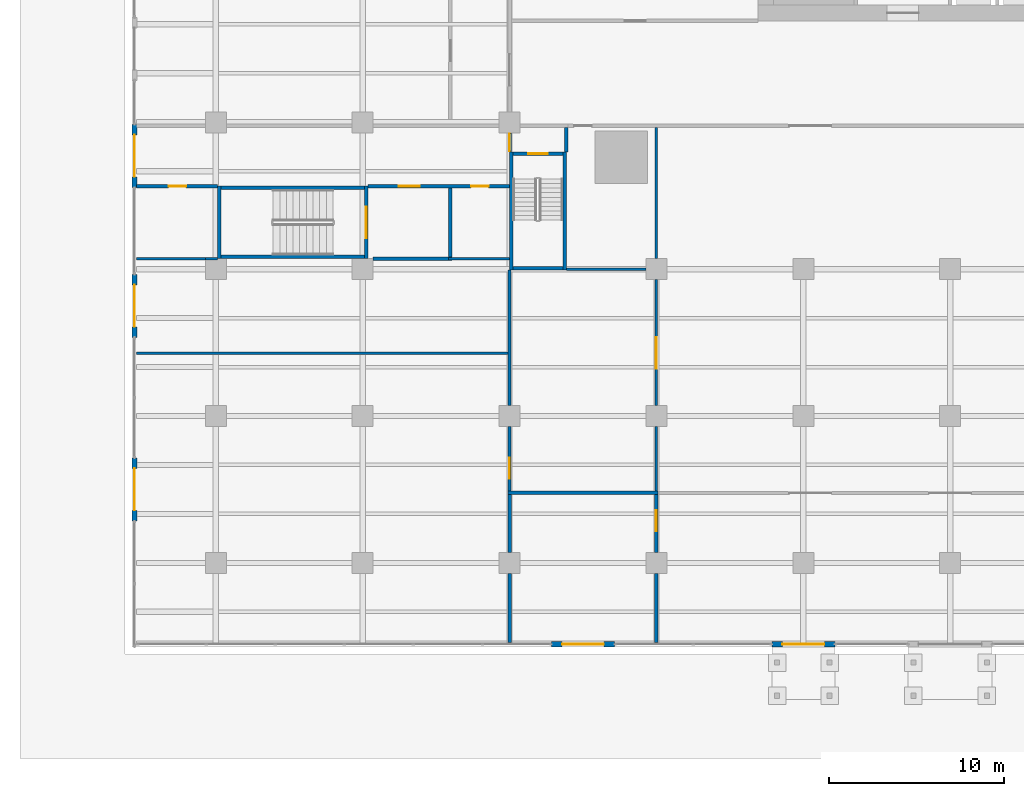
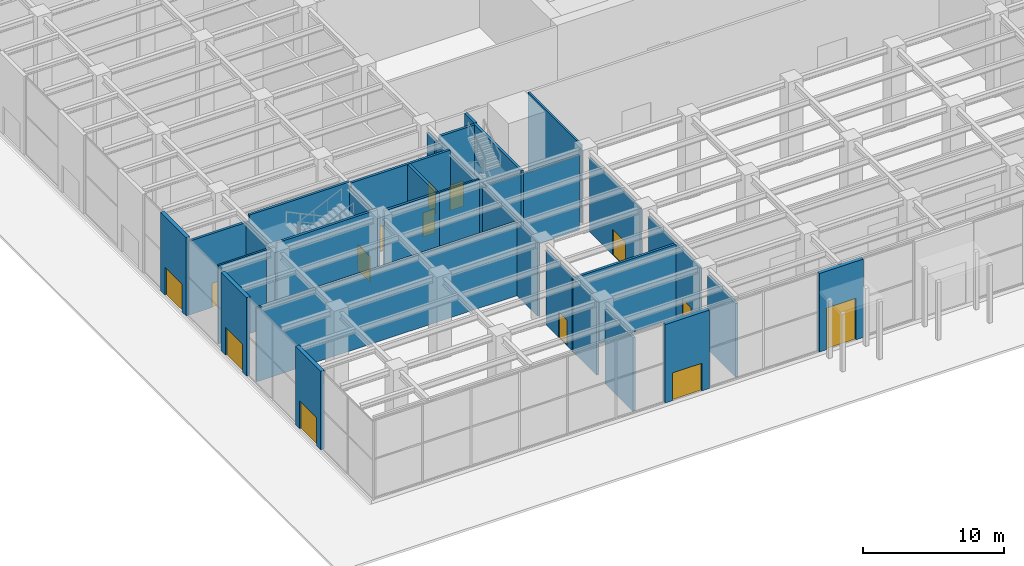
# One storey, part 28 of 43: 34 walls, 14 doors, 14 openings.
"""IFC4 building model written with IfcOpenShell, lengths in metres."""

from ifc_helpers import new_model, si_unit, direction, frame, frame_2d, origin, place, context, subcontext, project, spatial, rectangle, extrude, material, layer, layer_set, type_object, element, fill, save


model = new_model("IFC4")

# Units and contexts
model_context = context("Model", 3, precision=1e-05, world=origin(), true_north=direction((0.0, 1.0)))
body_context = subcontext(model_context, "Body", "Model", "MODEL_VIEW")
ifc_project = project(units=[si_unit("LENGTHUNIT", "METRE"), si_unit("AREAUNIT", "SQUARE_METRE"), si_unit("VOLUMEUNIT", "CUBIC_METRE"), si_unit("PLANEANGLEUNIT", "RADIAN"), si_unit("MASSUNIT", "GRAM", prefix="KILO")], contexts=[model_context])

# Site, building, storey
site_placement = place(None, origin())
site = spatial("IfcSite", under=ifc_project, at=site_placement, CompositionType="ELEMENT")
building_placement = place(site_placement, origin())
building = spatial("IfcBuilding", under=site, at=building_placement, Name="Khepri Terraces", CompositionType="ELEMENT")
storey_placement = place(building_placement, origin())
storey = spatial("IfcBuildingStorey", under=building, at=storey_placement, Name="L00", CompositionType="ELEMENT", Elevation=0.0)

# Wall, opening, door
ifc_material_1 = material(Name="Precast concrete C50/60 warm stone", Category="masonry")
ifc_layer_1 = layer(ifc_material_1, 0.300048828125, Name="Precast concrete C50/60 warm stone", Category="masonry")
ifc_layer_set_1 = layer_set([ifc_layer_1], Name="Precast concrete C50/60 warm stone")
wall_type_1 = type_object("IfcWallType", Name="WL-EXT-PRECAST-300", PredefinedType="STANDARD", material=ifc_layer_set_1)
wall_1_placement = place(storey_placement, frame((-46.64990234375, -16.925048828125, 0.0), z_axis=(0.0, 0.0, 1.0), x_axis=(0.0, -1.0, 0.0)))
wall_1 = element("IfcWall", 1, at=wall_1_placement, inside=storey, type_object=wall_type_1, Name="External wall L00 W", PredefinedType="STANDARD", context=body_context, shape_type="SweptSolid", body=[
    extrude(rectangle(XDim=3.599853515625, YDim=0.300048828125, at=frame_2d((1.7998046875, 0.0))), origin(), (0.0, 0.0, 1.0), 6.780029296875),
])
opening_1_placement = place(wall_1_placement, frame((0.60009765625, 0.0, 0.0)))
opening_1 = element("IfcOpeningElement", 2, at=opening_1_placement, cuts=wall_1, Name="Opening ED-L00-23", PredefinedType="OPENING", context=body_context, shape_type="SweptSolid", body=[
    extrude(rectangle(XDim=2.39990234375, YDim=2.39990234375, at=frame_2d((1.199951171875, 1.199951171875))), frame((0.0, 0.16015625, 0.0), z_axis=(0.0, -1.0, 0.0), x_axis=(1.0, 0.0, 0.0)), (0.0, 0.0, 1.0), 0.320068359375),
])
ifc_material_2 = material(Name="Painted galvanised steel leaf", Category="steel")
door_type_1 = type_object("IfcDoorType", Name="DR-EXIT-2400x2400", OperationType="NOTDEFINED", PredefinedType="DOOR", material=ifc_material_2)
door_1_placement = place(opening_1_placement, frame((2.39990234375, 0.0, 0.0), z_axis=(0.0, 0.0, 1.0), x_axis=(-1.0, 0.0, 0.0)))
door_1 = element("IfcDoor", 3, at=door_1_placement, inside=storey, type_object=door_type_1, Name="Stair discharge door L00 W", OperationType="SINGLE_SWING_RIGHT", OverallHeight=2.39990234375, OverallWidth=2.39990234375, PredefinedType="DOOR", context=body_context, shape_type="SweptSolid", body=[
    extrude(rectangle(XDim=2.39990234375, YDim=2.39990234375, at=frame_2d((1.199951171875, 1.199951171875))), frame((0.0, 0.02490234375, 0.0), z_axis=(0.0, -1.0, 0.0), x_axis=(1.0, 0.0, 0.0)), (0.0, 0.0, 1.0), 0.050048828125),
])
fill(opening_1, door_1)

wall_2_placement = place(storey_placement, frame((-46.64990234375, -25.5, 0.0), z_axis=(0.0, 0.0, 1.0), x_axis=(0.0, -1.0, 0.0)))
wall_2 = element("IfcWall", 4, at=wall_2_placement, inside=storey, type_object=wall_type_1, Name="External wall L00 W", PredefinedType="STANDARD", context=body_context, shape_type="SweptSolid", body=[
    extrude(rectangle(XDim=3.60009765625, YDim=0.300048828125, at=frame_2d((1.800048828125, 0.0))), origin(), (0.0, 0.0, 1.0), 6.780029296875),
])
opening_2_placement = place(wall_2_placement, frame((0.60009765625, 0.0, 0.0)))
opening_2 = element("IfcOpeningElement", 5, at=opening_2_placement, cuts=wall_2, Name="Opening ED-L00-24", PredefinedType="OPENING", context=body_context, shape_type="SweptSolid", body=[
    extrude(rectangle(XDim=2.39990234375, YDim=2.39990234375, at=frame_2d((1.199951171875, 1.199951171875))), frame((0.0, 0.16015625, 0.0), z_axis=(0.0, -1.0, 0.0), x_axis=(1.0, 0.0, 0.0)), (0.0, 0.0, 1.0), 0.320068359375),
])
ifc_material_3 = material(Name="Anodised aluminium bronze glazed door", Category="aluminium")
door_type_2 = type_object("IfcDoorType", Name="DR-SHOP-2400x2400", OperationType="NOTDEFINED", PredefinedType="DOOR", material=ifc_material_3)
door_2_placement = place(opening_2_placement, frame((2.39990234375, 0.0, 0.0), z_axis=(0.0, 0.0, 1.0), x_axis=(-1.0, 0.0, 0.0)))
door_2 = element("IfcDoor", 6, at=door_2_placement, inside=storey, type_object=door_type_2, Name="Retail door L00 W", OperationType="DOUBLE_DOOR_SINGLE_SWING", OverallHeight=2.39990234375, OverallWidth=2.39990234375, PredefinedType="DOOR", context=body_context, shape_type="SweptSolid", body=[
    extrude(rectangle(XDim=2.39990234375, YDim=2.39990234375, at=frame_2d((1.199951171875, 1.199951171875))), frame((0.0, 0.02490234375, 0.0), z_axis=(0.0, -1.0, 0.0), x_axis=(1.0, 0.0, 0.0)), (0.0, 0.0, 1.0), 0.050048828125),
])
fill(opening_2, door_2)

wall_3_placement = place(storey_placement, frame((-46.64990234375, -36.0, 0.0), z_axis=(0.0, 0.0, 1.0), x_axis=(0.0, -1.0, 0.0)))
wall_3 = element("IfcWall", 7, at=wall_3_placement, inside=storey, type_object=wall_type_1, Name="External wall L00 W", PredefinedType="STANDARD", context=body_context, shape_type="SweptSolid", body=[
    extrude(rectangle(XDim=3.60009765625, YDim=0.300048828125, at=frame_2d((1.800048828125, 0.0))), origin(), (0.0, 0.0, 1.0), 6.780029296875),
])
opening_3_placement = place(wall_3_placement, frame((0.60009765625, 0.0, 0.0)))
opening_3 = element("IfcOpeningElement", 8, at=opening_3_placement, cuts=wall_3, Name="Opening ED-L00-25", PredefinedType="OPENING", context=body_context, shape_type="SweptSolid", body=[
    extrude(rectangle(XDim=2.39990234375, YDim=2.39990234375, at=frame_2d((1.199951171875, 1.199951171875))), frame((0.0, 0.16015625, 0.0), z_axis=(0.0, -1.0, 0.0), x_axis=(1.0, 0.0, 0.0)), (0.0, 0.0, 1.0), 0.320068359375),
])
door_3_placement = place(opening_3_placement, frame((2.39990234375, 0.0, 0.0), z_axis=(0.0, 0.0, 1.0), x_axis=(-1.0, 0.0, 0.0)))
door_3 = element("IfcDoor", 9, at=door_3_placement, inside=storey, type_object=door_type_2, Name="Retail door L00 W", OperationType="DOUBLE_DOOR_SINGLE_SWING", OverallHeight=2.39990234375, OverallWidth=2.39990234375, PredefinedType="DOOR", context=body_context, shape_type="SweptSolid", body=[
    extrude(rectangle(XDim=2.39990234375, YDim=2.39990234375, at=frame_2d((1.199951171875, 1.199951171875))), frame((0.0, 0.02490234375, 0.0), z_axis=(0.0, -1.0, 0.0), x_axis=(1.0, 0.0, 0.0)), (0.0, 0.0, 1.0), 0.050048828125),
])
fill(opening_3, door_3)

wall_4_placement = place(storey_placement, frame((-22.800048828125, -46.64990234375, 0.0), z_axis=(0.0, 0.0, 1.0), x_axis=(1.0, 0.0, 0.0)))
wall_4 = element("IfcWall", 10, at=wall_4_placement, inside=storey, type_object=wall_type_1, Name="External wall L00 S", PredefinedType="STANDARD", context=body_context, shape_type="SweptSolid", body=[
    extrude(rectangle(XDim=3.60009765625, YDim=0.300048828125, at=frame_2d((1.800048828125, 0.0))), origin(), (0.0, 0.0, 1.0), 6.780029296875),
])
opening_4_placement = place(wall_4_placement, frame((0.60009765625, 0.0, 0.0)))
opening_4 = element("IfcOpeningElement", 11, at=opening_4_placement, cuts=wall_4, Name="Opening ED-L00-26", PredefinedType="OPENING", context=body_context, shape_type="SweptSolid", body=[
    extrude(rectangle(XDim=2.39990234375, YDim=2.39990234375, at=frame_2d((1.199951171875, 1.199951171875))), frame((0.0, 0.16015625, 0.0), z_axis=(0.0, -1.0, 0.0), x_axis=(1.0, 0.0, 0.0)), (0.0, 0.0, 1.0), 0.320068359375),
])
door_4_placement = place(opening_4_placement, frame((2.39990234375, 0.0, 0.0), z_axis=(0.0, 0.0, 1.0), x_axis=(-1.0, 0.0, 0.0)))
door_4 = element("IfcDoor", 12, at=door_4_placement, inside=storey, type_object=door_type_2, Name="Retail door L00 S", OperationType="DOUBLE_DOOR_SINGLE_SWING", OverallHeight=2.39990234375, OverallWidth=2.39990234375, PredefinedType="DOOR", context=body_context, shape_type="SweptSolid", body=[
    extrude(rectangle(XDim=2.39990234375, YDim=2.39990234375, at=frame_2d((1.199951171875, 1.199951171875))), frame((0.0, 0.02490234375, 0.0), z_axis=(0.0, -1.0, 0.0), x_axis=(1.0, 0.0, 0.0)), (0.0, 0.0, 1.0), 0.050048828125),
])
fill(opening_4, door_4)

wall_5_placement = place(storey_placement, frame((-10.199951171875, -46.64990234375, 0.0), z_axis=(0.0, 0.0, 1.0), x_axis=(1.0, 0.0, 0.0)))
wall_5 = element("IfcWall", 13, at=wall_5_placement, inside=storey, type_object=wall_type_1, Name="External wall L00 S", PredefinedType="STANDARD", context=body_context, shape_type="SweptSolid", body=[
    extrude(rectangle(XDim=3.599853515625, YDim=0.300048828125, at=frame_2d((1.7998046875, 0.0))), origin(), (0.0, 0.0, 1.0), 6.780029296875),
])
opening_5_placement = place(wall_5_placement, frame((0.60009765625, 0.0, 0.0)))
opening_5 = element("IfcOpeningElement", 14, at=opening_5_placement, cuts=wall_5, Name="Opening ED-L00-27", PredefinedType="OPENING", context=body_context, shape_type="SweptSolid", body=[
    extrude(rectangle(XDim=2.39990234375, YDim=3.60009765625, at=frame_2d((1.199951171875, 1.800048828125))), frame((0.0, 0.16015625, 0.0), z_axis=(0.0, -1.0, 0.0), x_axis=(1.0, 0.0, 0.0)), (0.0, 0.0, 1.0), 0.320068359375),
])
door_type_3 = type_object("IfcDoorType", Name="DR-MAIN-2400x3600", OperationType="NOTDEFINED", PredefinedType="DOOR", material=ifc_material_3)
door_5_placement = place(opening_5_placement, frame((2.39990234375, 0.0, 0.0), z_axis=(0.0, 0.0, 1.0), x_axis=(-1.0, 0.0, 0.0)))
door_5 = element("IfcDoor", 15, at=door_5_placement, inside=storey, type_object=door_type_3, Name="Main door L00 S", OperationType="DOUBLE_DOOR_SINGLE_SWING", OverallHeight=3.60009765625, OverallWidth=2.39990234375, PredefinedType="DOOR", context=body_context, shape_type="SweptSolid", body=[
    extrude(rectangle(XDim=2.39990234375, YDim=3.60009765625, at=frame_2d((1.199951171875, 1.800048828125))), frame((0.0, 0.02490234375, 0.0), z_axis=(0.0, -1.0, 0.0), x_axis=(1.0, 0.0, 0.0)), (0.0, 0.0, 1.0), 0.050048828125),
])
fill(opening_5, door_5)

# Walls
ifc_material_4 = material(Name="Gypsum board partition")
ifc_layer_2 = layer(ifc_material_4, 0.14990234375, Name="Gypsum board partition")
ifc_layer_set_2 = layer_set([ifc_layer_2], Name="Gypsum board partition")
wall_type_2 = type_object("IfcWallType", Name="WL-POD-150", PredefinedType="PARTITIONING", material=ifc_layer_set_2)
wall_6_placement = place(storey_placement, frame((-46.550048828125, -30.0, 0.0), z_axis=(0.0, 0.0, 1.0), x_axis=(1.0, 0.0, 0.0)))
element("IfcWall", 16, at=wall_6_placement, inside=storey, type_object=wall_type_2, Name="Partition L00-PW003", PredefinedType="PARTITIONING", context=body_context, shape_type="SweptSolid", body=[
    extrude(rectangle(XDim=21.275146484375, YDim=0.14990234375, at=frame_2d((10.6376953125, 0.0))), origin(), (0.0, 0.0, 1.0), 6.3798828125),
])
wall_7_placement = place(storey_placement, frame((-21.949951171875, -25.199951171875, 0.0), z_axis=(0.0, 0.0, 1.0), x_axis=(1.0, 0.0, 0.0)))
element("IfcWall", 17, at=wall_7_placement, inside=storey, type_object=wall_type_2, Name="Partition L00-PW005", PredefinedType="PARTITIONING", context=body_context, shape_type="SweptSolid", body=[
    extrude(rectangle(XDim=4.550048828125, YDim=0.14990234375, at=frame_2d((2.27490234375, 0.0))), origin(), (0.0, 0.0, 1.0), 6.47998046875),
])
wall_8_placement = place(storey_placement, frame((-46.550048828125, -24.60009765625, 0.0), z_axis=(0.0, 0.0, 1.0), x_axis=(1.0, 0.0, 0.0)))
element("IfcWall", 18, at=wall_8_placement, inside=storey, type_object=wall_type_2, Name="Partition L00-PW007", PredefinedType="PARTITIONING", context=body_context, shape_type="SweptSolid", body=[
    extrude(rectangle(XDim=3.949951171875, YDim=0.14990234375, at=frame_2d((1.97509765625, 0.0))), origin(), (0.0, 0.0, 1.0), 6.780029296875),
])
wall_9_placement = place(storey_placement, frame((-42.60009765625, -24.60009765625, 0.0), z_axis=(0.0, 0.0, 1.0), x_axis=(1.0, 0.0, 0.0)))
element("IfcWall", 19, at=wall_9_placement, inside=storey, type_object=wall_type_2, Name="Partition L00-PW008", PredefinedType="PARTITIONING", context=body_context, shape_type="SweptSolid", body=[
    extrude(rectangle(XDim=0.7001953125, YDim=0.14990234375, at=frame_2d((0.35009765625, 0.0))), origin(), (0.0, 0.0, 1.0), 6.780029296875),
])
wall_10_placement = place(storey_placement, frame((-28.699951171875, -24.60009765625, 0.0), z_axis=(0.0, 0.0, 1.0), x_axis=(1.0, 0.0, 0.0)))
element("IfcWall", 20, at=wall_10_placement, inside=storey, type_object=wall_type_2, Name="Partition L00-PW010", PredefinedType="PARTITIONING", context=body_context, shape_type="SweptSolid", body=[
    extrude(rectangle(XDim=3.5, YDim=0.14990234375, at=frame_2d((1.75, 0.0))), origin(), (0.0, 0.0, 1.0), 6.780029296875),
])

# Wall, opening, door
wall_11_placement = place(storey_placement, frame((-25.199951171875, -37.89990234375, 0.0), z_axis=(0.0, 0.0, 1.0), x_axis=(0.0, 1.0, 0.0)))
wall_11 = element("IfcWall", 21, at=wall_11_placement, inside=storey, type_object=wall_type_2, Name="Partition L00-PW095", PredefinedType="PARTITIONING", context=body_context, shape_type="SweptSolid", body=[
    extrude(rectangle(XDim=3.699951171875, YDim=0.14990234375, at=frame_2d((1.85009765625, 0.0))), origin(), (0.0, 0.0, 1.0), 6.3798828125),
])
opening_6_placement = place(wall_11_placement, frame((0.699951171875, 0.0, 0.0)))
opening_6 = element("IfcOpeningElement", 22, at=opening_6_placement, cuts=wall_11, Name="Opening L00-P06", PredefinedType="OPENING", context=body_context, shape_type="SweptSolid", body=[
    extrude(rectangle(XDim=1.199951171875, YDim=2.199951171875, at=frame_2d((0.60009765625, 1.10009765625))), frame((0.0, 0.0849609375, 0.0), z_axis=(0.0, -1.0, 0.0), x_axis=(1.0, 0.0, 0.0)), (0.0, 0.0, 1.0), 0.169921875),
])
ifc_material_5 = material(Name="Timber veneer", Category="wood")
door_type_4 = type_object("IfcDoorType", Name="DR-POD-SINGLE-1200", OperationType="NOTDEFINED", PredefinedType="DOOR", material=ifc_material_5)
door_6_placement = place(opening_6_placement, origin())
door_6 = element("IfcDoor", 23, at=door_6_placement, inside=storey, type_object=door_type_4, Name="Door L00-P06", OperationType="SINGLE_SWING_LEFT", OverallHeight=2.199951171875, OverallWidth=1.199951171875, PredefinedType="DOOR", context=body_context, shape_type="SweptSolid", body=[
    extrude(rectangle(XDim=1.199951171875, YDim=2.199951171875, at=frame_2d((0.60009765625, 1.10009765625))), frame((0.0, 0.02490234375, 0.0), z_axis=(0.0, -1.0, 0.0), x_axis=(1.0, 0.0, 0.0)), (0.0, 0.0, 1.0), 0.050048828125),
])
fill(opening_6, door_6)

# Walls
wall_12_placement = place(storey_placement, frame((-25.199951171875, -33.0, 0.0), z_axis=(0.0, 0.0, 1.0), x_axis=(0.0, 1.0, 0.0)))
element("IfcWall", 24, at=wall_12_placement, inside=storey, type_object=wall_type_2, Name="Partition L00-PW096", PredefinedType="PARTITIONING", context=body_context, shape_type="SweptSolid", body=[
    extrude(rectangle(XDim=7.760009765625, YDim=0.14990234375, at=frame_2d((3.8798828125, 0.0))), origin(), (0.0, 0.0, 1.0), 6.3798828125),
])
wall_13_placement = place(storey_placement, frame((-16.800048828125, -37.89990234375, 0.0), z_axis=(0.0, 0.0, 1.0), x_axis=(0.0, 1.0, 0.0)))
element("IfcWall", 25, at=wall_13_placement, inside=storey, type_object=wall_type_2, Name="Partition L00-PW107", PredefinedType="PARTITIONING", context=body_context, shape_type="SweptSolid", body=[
    extrude(rectangle(XDim=3.699951171875, YDim=0.14990234375, at=frame_2d((1.85009765625, 0.0))), origin(), (0.0, 0.0, 1.0), 6.3798828125),
])

# Wall, opening, door
wall_14_placement = place(storey_placement, frame((-16.800048828125, -33.0, 0.0), z_axis=(0.0, 0.0, 1.0), x_axis=(0.0, 1.0, 0.0)))
wall_14 = element("IfcWall", 26, at=wall_14_placement, inside=storey, type_object=wall_type_2, Name="Partition L00-PW108", PredefinedType="PARTITIONING", context=body_context, shape_type="SweptSolid", body=[
    extrude(rectangle(XDim=7.199951171875, YDim=0.14990234375, at=frame_2d((3.60009765625, 0.0))), origin(), (0.0, 0.0, 1.0), 6.3798828125),
])
opening_7_placement = place(wall_14_placement, frame((2.10009765625, 0.0, 0.0)))
opening_7 = element("IfcOpeningElement", 27, at=opening_7_placement, cuts=wall_14, Name="Opening L00-P07", PredefinedType="OPENING", context=body_context, shape_type="SweptSolid", body=[
    extrude(rectangle(XDim=1.800048828125, YDim=2.199951171875, at=frame_2d((0.89990234375, 1.10009765625))), frame((0.0, 0.0849609375, 0.0), z_axis=(0.0, -1.0, 0.0), x_axis=(1.0, 0.0, 0.0)), (0.0, 0.0, 1.0), 0.169921875),
])
ifc_material_6 = material(Name="Glazed aluminium", Category="aluminium")
door_type_5 = type_object("IfcDoorType", Name="DR-POD-PAIR-1800", OperationType="DOUBLE_DOOR_SINGLE_SWING", PredefinedType="DOOR", material=ifc_material_6)
door_7_placement = place(opening_7_placement, origin())
door_7 = element("IfcDoor", 28, at=door_7_placement, inside=storey, type_object=door_type_5, Name="Double door L00-P07", OperationType="DOUBLE_DOOR_SINGLE_SWING", OverallHeight=2.199951171875, OverallWidth=1.800048828125, PredefinedType="DOOR", context=body_context, shape_type="SweptSolid", body=[
    extrude(rectangle(XDim=1.800048828125, YDim=2.199951171875, at=frame_2d((0.89990234375, 1.10009765625))), frame((0.0, 0.02490234375, 0.0), z_axis=(0.0, -1.0, 0.0), x_axis=(1.0, 0.0, 0.0)), (0.0, 0.0, 1.0), 0.050048828125),
])
fill(opening_7, door_7)

# Walls
wall_15_placement = place(storey_placement, frame((-16.800048828125, -24.60009765625, 0.0), z_axis=(0.0, 0.0, 1.0), x_axis=(0.0, 1.0, 0.0)))
element("IfcWall", 29, at=wall_15_placement, inside=storey, type_object=wall_type_2, Name="Partition L00-PW109", PredefinedType="PARTITIONING", context=body_context, shape_type="SweptSolid", body=[
    extrude(rectangle(XDim=7.5, YDim=0.14990234375, at=frame_2d((3.75, 0.0))), origin(), (0.0, 0.0, 1.0), 6.780029296875),
])
ifc_material_7 = material(Name="Fire-rated block wall")
ifc_layer_3 = layer(ifc_material_7, 0.199951171875, Name="Fire-rated block wall")
ifc_layer_set_3 = layer_set([ifc_layer_3], Name="Fire-rated block wall")
wall_type_3 = type_object("IfcWallType", Name="WL-POD-200-EI120", PredefinedType="PARTITIONING", material=ifc_layer_set_3)
wall_16_placement = place(storey_placement, frame((-25.300048828125, -38.0, 0.0), z_axis=(0.0, 0.0, 1.0), x_axis=(1.0, 0.0, 0.0)))
element("IfcWall", 30, at=wall_16_placement, inside=storey, type_object=wall_type_3, Name="Partition L00-PW001", PredefinedType="PARTITIONING", context=body_context, shape_type="SweptSolid", body=[
    extrude(rectangle(XDim=8.60009765625, YDim=0.199951171875, at=frame_2d((4.300048828125, 0.0))), origin(), (0.0, 0.0, 1.0), 6.3798828125),
])
wall_17_placement = place(storey_placement, frame((-33.0, -24.60009765625, 0.0), z_axis=(0.0, 0.0, 1.0), x_axis=(1.0, 0.0, 0.0)))
element("IfcWall", 31, at=wall_17_placement, inside=storey, type_object=wall_type_3, Name="Partition L00-PW009", PredefinedType="PARTITIONING", context=body_context, shape_type="SweptSolid", body=[
    extrude(rectangle(XDim=4.5, YDim=0.199951171875, at=frame_2d((2.25, 0.0))), origin(), (0.0, 0.0, 1.0), 6.780029296875),
])

# Wall, opening, door
wall_18_placement = place(storey_placement, frame((-46.550048828125, -20.449951171875, 0.0), z_axis=(0.0, 0.0, 1.0), x_axis=(1.0, 0.0, 0.0)))
wall_18 = element("IfcWall", 32, at=wall_18_placement, inside=storey, type_object=wall_type_3, Name="Partition L00-PW015", PredefinedType="PARTITIONING", context=body_context, shape_type="SweptSolid", body=[
    extrude(rectangle(XDim=4.650146484375, YDim=0.199951171875, at=frame_2d((2.3251953125, 0.0))), origin(), (0.0, 0.0, 1.0), 6.3798828125),
])
opening_8_placement = place(wall_18_placement, frame((1.85009765625, 0.0, 0.0)))
opening_8 = element("IfcOpeningElement", 33, at=opening_8_placement, cuts=wall_18, Name="Opening L00-P09", PredefinedType="OPENING", context=body_context, shape_type="SweptSolid", body=[
    extrude(rectangle(XDim=1.0, YDim=2.10009765625, at=frame_2d((0.5, 1.050048828125))), frame((0.0, 0.10986328125, 0.0), z_axis=(0.0, -1.0, 0.0), x_axis=(1.0, 0.0, 0.0)), (0.0, 0.0, 1.0), 0.219970703125),
])
door_type_6 = type_object("IfcDoorType", Name="DR-POD-SINGLE-1000", OperationType="NOTDEFINED", PredefinedType="DOOR", material=ifc_material_5)
door_8_placement = place(opening_8_placement, origin())
door_8 = element("IfcDoor", 34, at=door_8_placement, inside=storey, type_object=door_type_6, Name="Door L00-P09", OperationType="SINGLE_SWING_LEFT", OverallHeight=2.10009765625, OverallWidth=1.0, PredefinedType="DOOR", context=body_context, shape_type="SweptSolid", body=[
    extrude(rectangle(XDim=1.0, YDim=2.10009765625, at=frame_2d((0.5, 1.050048828125))), frame((0.0, 0.02490234375, 0.0), z_axis=(0.0, -1.0, 0.0), x_axis=(1.0, 0.0, 0.0)), (0.0, 0.0, 1.0), 0.050048828125),
])
fill(opening_8, door_8)

# Wall, openings, doors
wall_19_placement = place(storey_placement, frame((-33.300048828125, -20.449951171875, 0.0), z_axis=(0.0, 0.0, 1.0), x_axis=(1.0, 0.0, 0.0)))
wall_19 = element("IfcWall", 35, at=wall_19_placement, inside=storey, type_object=wall_type_3, Name="Partition L00-PW016", PredefinedType="PARTITIONING", context=body_context, shape_type="SweptSolid", body=[
    extrude(rectangle(XDim=8.10009765625, YDim=0.199951171875, at=frame_2d((4.050048828125, 0.0))), origin(), (0.0, 0.0, 1.0), 6.780029296875),
])
opening_9_placement = place(wall_19_placement, frame((1.75, 0.0, 0.0)))
opening_9 = element("IfcOpeningElement", 36, at=opening_9_placement, cuts=wall_19, Name="Opening L00-P10", PredefinedType="OPENING", context=body_context, shape_type="SweptSolid", body=[
    extrude(rectangle(XDim=1.199951171875, YDim=2.199951171875, at=frame_2d((0.60009765625, 1.10009765625))), frame((0.0, 0.10986328125, 0.0), z_axis=(0.0, -1.0, 0.0), x_axis=(1.0, 0.0, 0.0)), (0.0, 0.0, 1.0), 0.219970703125),
])
opening_10_placement = place(wall_19_placement, frame((5.89990234375, 0.0, 0.0)))
opening_10 = element("IfcOpeningElement", 37, at=opening_10_placement, cuts=wall_19, Name="Opening L00-P11", PredefinedType="OPENING", context=body_context, shape_type="SweptSolid", body=[
    extrude(rectangle(XDim=1.0, YDim=2.10009765625, at=frame_2d((0.5, 1.050048828125))), frame((0.0, 0.10986328125, 0.0), z_axis=(0.0, -1.0, 0.0), x_axis=(1.0, 0.0, 0.0)), (0.0, 0.0, 1.0), 0.219970703125),
])
ifc_material_8 = material(Name="Painted steel", Category="steel")
door_type_7 = type_object("IfcDoorType", Name="DR-POD-EXIT-1200", OperationType="NOTDEFINED", PredefinedType="DOOR", material=ifc_material_8)
door_9_placement = place(opening_9_placement, origin())
door_9 = element("IfcDoor", 38, at=door_9_placement, inside=storey, type_object=door_type_7, Name="Exit door L00-P10", OperationType="SINGLE_SWING_LEFT", OverallHeight=2.199951171875, OverallWidth=1.199951171875, PredefinedType="DOOR", context=body_context, shape_type="SweptSolid", body=[
    extrude(rectangle(XDim=1.199951171875, YDim=2.199951171875, at=frame_2d((0.60009765625, 1.10009765625))), frame((0.0, 0.02490234375, 0.0), z_axis=(0.0, -1.0, 0.0), x_axis=(1.0, 0.0, 0.0)), (0.0, 0.0, 1.0), 0.050048828125),
])
fill(opening_9, door_9)
door_10_placement = place(opening_10_placement, origin())
door_10 = element("IfcDoor", 39, at=door_10_placement, inside=storey, type_object=door_type_6, Name="Door L00-P11", OperationType="SINGLE_SWING_LEFT", OverallHeight=2.10009765625, OverallWidth=1.0, PredefinedType="DOOR", context=body_context, shape_type="SweptSolid", body=[
    extrude(rectangle(XDim=1.0, YDim=2.10009765625, at=frame_2d((0.5, 1.050048828125))), frame((0.0, 0.02490234375, 0.0), z_axis=(0.0, -1.0, 0.0), x_axis=(1.0, 0.0, 0.0)), (0.0, 0.0, 1.0), 0.050048828125),
])
fill(opening_10, door_10)

# Walls
wall_20_placement = place(storey_placement, frame((-28.60009765625, -24.5, 0.0), z_axis=(0.0, 0.0, 1.0), x_axis=(0.0, 1.0, 0.0)))
element("IfcWall", 40, at=wall_20_placement, inside=storey, type_object=wall_type_3, Name="Partition L00-PW090", PredefinedType="PARTITIONING", context=body_context, shape_type="SweptSolid", body=[
    extrude(rectangle(XDim=3.949951171875, YDim=0.199951171875, at=frame_2d((1.97509765625, 0.0))), origin(), (0.0, 0.0, 1.0), 6.780029296875),
])
wall_21_placement = place(storey_placement, frame((-25.199951171875, -46.550048828125, 0.0), z_axis=(0.0, 0.0, 1.0), x_axis=(0.0, 1.0, 0.0)))
element("IfcWall", 41, at=wall_21_placement, inside=storey, type_object=wall_type_3, Name="Partition L00-PW093", PredefinedType="PARTITIONING", context=body_context, shape_type="SweptSolid", body=[
    extrude(rectangle(XDim=3.949951171875, YDim=0.199951171875, at=frame_2d((1.97509765625, 0.0))), origin(), (0.0, 0.0, 1.0), 6.3798828125),
])
wall_22_placement = place(storey_placement, frame((-25.199951171875, -41.39990234375, 0.0), z_axis=(0.0, 0.0, 1.0), x_axis=(0.0, 1.0, 0.0)))
element("IfcWall", 42, at=wall_22_placement, inside=storey, type_object=wall_type_3, Name="Partition L00-PW094", PredefinedType="PARTITIONING", context=body_context, shape_type="SweptSolid", body=[
    extrude(rectangle(XDim=3.2998046875, YDim=0.199951171875, at=frame_2d((1.64990234375, 0.0))), origin(), (0.0, 0.0, 1.0), 6.3798828125),
])

# Wall, opening, door
wall_23_placement = place(storey_placement, frame((-25.199951171875, -18.5, 0.0), z_axis=(0.0, 0.0, 1.0), x_axis=(0.0, 1.0, 0.0)))
wall_23 = element("IfcWall", 43, at=wall_23_placement, inside=storey, type_object=wall_type_3, Name="Partition L00-PW097", PredefinedType="PARTITIONING", context=body_context, shape_type="SweptSolid", body=[
    extrude(rectangle(XDim=1.10009765625, YDim=0.199951171875, at=frame_2d((0.550048828125, 0.0))), origin(), (0.0, 0.0, 1.0), 6.3798828125),
])
opening_11_placement = place(wall_23_placement, frame((0.050048828125, 0.0, 0.0)))
opening_11 = element("IfcOpeningElement", 44, at=opening_11_placement, cuts=wall_23, Name="Opening L00-P15", PredefinedType="OPENING", context=body_context, shape_type="SweptSolid", body=[
    extrude(rectangle(XDim=1.0, YDim=2.199951171875, at=frame_2d((0.5, 1.10009765625))), frame((0.0, 0.10986328125, 0.0), z_axis=(0.0, -1.0, 0.0), x_axis=(1.0, 0.0, 0.0)), (0.0, 0.0, 1.0), 0.219970703125),
])
door_type_8 = type_object("IfcDoorType", Name="DR-POD-EXIT-1000", OperationType="NOTDEFINED", PredefinedType="DOOR", material=ifc_material_8)
door_11_placement = place(opening_11_placement, origin())
door_11 = element("IfcDoor", 45, at=door_11_placement, inside=storey, type_object=door_type_8, Name="Exit door L00-P15", OperationType="SINGLE_SWING_RIGHT", OverallHeight=2.199951171875, OverallWidth=1.0, PredefinedType="DOOR", context=body_context, shape_type="SweptSolid", body=[
    extrude(rectangle(XDim=1.0, YDim=2.199951171875, at=frame_2d((0.5, 1.10009765625))), frame((0.0, 0.02490234375, 0.0), z_axis=(0.0, -1.0, 0.0), x_axis=(1.0, 0.0, 0.0)), (0.0, 0.0, 1.0), 0.050048828125),
])
fill(opening_11, door_11)

# Walls
wall_24_placement = place(storey_placement, frame((-21.949951171875, -18.5, 0.0), z_axis=(0.0, 0.0, 1.0), x_axis=(0.0, 1.0, 0.0)))
element("IfcWall", 46, at=wall_24_placement, inside=storey, type_object=wall_type_3, Name="Partition L00-PW103", PredefinedType="PARTITIONING", context=body_context, shape_type="SweptSolid", body=[
    extrude(rectangle(XDim=1.39990234375, YDim=0.199951171875, at=frame_2d((0.699951171875, 0.0))), origin(), (0.0, 0.0, 1.0), 6.780029296875),
])
wall_25_placement = place(storey_placement, frame((-16.800048828125, -46.550048828125, 0.0), z_axis=(0.0, 0.0, 1.0), x_axis=(0.0, 1.0, 0.0)))
element("IfcWall", 47, at=wall_25_placement, inside=storey, type_object=wall_type_3, Name="Partition L00-PW105", PredefinedType="PARTITIONING", context=body_context, shape_type="SweptSolid", body=[
    extrude(rectangle(XDim=3.949951171875, YDim=0.199951171875, at=frame_2d((1.97509765625, 0.0))), origin(), (0.0, 0.0, 1.0), 6.3798828125),
])

# Wall, opening, door
wall_26_placement = place(storey_placement, frame((-16.800048828125, -41.39990234375, 0.0), z_axis=(0.0, 0.0, 1.0), x_axis=(0.0, 1.0, 0.0)))
wall_26 = element("IfcWall", 48, at=wall_26_placement, inside=storey, type_object=wall_type_3, Name="Partition L00-PW106", PredefinedType="PARTITIONING", context=body_context, shape_type="SweptSolid", body=[
    extrude(rectangle(XDim=3.2998046875, YDim=0.199951171875, at=frame_2d((1.64990234375, 0.0))), origin(), (0.0, 0.0, 1.0), 6.3798828125),
])
opening_12_placement = place(wall_26_placement, frame((1.199951171875, 0.0, 0.0)))
opening_12 = element("IfcOpeningElement", 49, at=opening_12_placement, cuts=wall_26, Name="Opening L00-P01", PredefinedType="OPENING", context=body_context, shape_type="SweptSolid", body=[
    extrude(rectangle(XDim=1.199951171875, YDim=2.199951171875, at=frame_2d((0.60009765625, 1.10009765625))), frame((0.0, 0.10986328125, 0.0), z_axis=(0.0, -1.0, 0.0), x_axis=(1.0, 0.0, 0.0)), (0.0, 0.0, 1.0), 0.219970703125),
])
door_type_9 = type_object("IfcDoorType", Name="DR-POD-FIRE-1200", OperationType="NOTDEFINED", PredefinedType="DOOR", material=ifc_material_8)
door_12_placement = place(opening_12_placement, origin())
door_12 = element("IfcDoor", 50, at=door_12_placement, inside=storey, type_object=door_type_9, Name="Fire door L00-P01", OperationType="SINGLE_SWING_RIGHT", OverallHeight=2.199951171875, OverallWidth=1.199951171875, PredefinedType="DOOR", context=body_context, shape_type="SweptSolid", body=[
    extrude(rectangle(XDim=1.199951171875, YDim=2.199951171875, at=frame_2d((0.60009765625, 1.10009765625))), frame((0.0, 0.02490234375, 0.0), z_axis=(0.0, -1.0, 0.0), x_axis=(1.0, 0.0, 0.0)), (0.0, 0.0, 1.0), 0.050048828125),
])
fill(opening_12, door_12)

# Walls
ifc_material_9 = material(Name="Concrete C40/50", Category="concrete")
ifc_layer_4 = layer(ifc_material_9, 0.199951171875, Name="Concrete C40/50", Category="concrete")
ifc_layer_set_4 = layer_set([ifc_layer_4], Name="Concrete C40/50")
wall_type_4 = type_object("IfcWallType", Name="WL-POD-STAIR-200", PredefinedType="SOLIDWALL", material=ifc_layer_set_4)
wall_27_placement = place(storey_placement, frame((-25.10009765625, -25.239990234375, 0.0), z_axis=(0.0, 0.0, 1.0), x_axis=(0.0, 1.0, 0.0)))
element("IfcWall", 51, at=wall_27_placement, inside=storey, type_object=wall_type_4, Name="Stair enclosure PS-4 L00-W", PredefinedType="SOLIDWALL", context=body_context, shape_type="SweptSolid", body=[
    extrude(rectangle(XDim=6.739990234375, YDim=0.199951171875, at=frame_2d((3.3701171875, 0.0))), origin(), (0.0, 0.0, 1.0), 6.3798828125),
])
wall_28_placement = place(storey_placement, frame((-22.050048828125, -25.239990234375, 0.0), z_axis=(0.0, 0.0, 1.0), x_axis=(0.0, 1.0, 0.0)))
element("IfcWall", 52, at=wall_28_placement, inside=storey, type_object=wall_type_4, Name="Stair enclosure PS-4 L00-E", PredefinedType="SOLIDWALL", context=body_context, shape_type="SweptSolid", body=[
    extrude(rectangle(XDim=6.739990234375, YDim=0.199951171875, at=frame_2d((3.3701171875, 0.0))), origin(), (0.0, 0.0, 1.0), 6.780029296875),
])
wall_29_placement = place(storey_placement, frame((-25.0, -25.139892578125, 0.0), z_axis=(0.0, 0.0, 1.0), x_axis=(1.0, 0.0, 0.0)))
element("IfcWall", 53, at=wall_29_placement, inside=storey, type_object=wall_type_4, Name="Stair enclosure PS-4 L00-S", PredefinedType="SOLIDWALL", context=body_context, shape_type="SweptSolid", body=[
    extrude(rectangle(XDim=2.85009765625, YDim=0.199951171875, at=frame_2d((1.425048828125, 0.0))), origin(), (0.0, 0.0, 1.0), 6.47998046875),
])

# Wall, opening, door
wall_30_placement = place(storey_placement, frame((-25.0, -18.60009765625, 0.0), z_axis=(0.0, 0.0, 1.0), x_axis=(1.0, 0.0, 0.0)))
wall_30 = element("IfcWall", 54, at=wall_30_placement, inside=storey, type_object=wall_type_4, Name="Stair enclosure PS-4 L00-N", PredefinedType="SOLIDWALL", context=body_context, shape_type="SweptSolid", body=[
    extrude(rectangle(XDim=2.85009765625, YDim=0.199951171875, at=frame_2d((1.425048828125, 0.0))), origin(), (0.0, 0.0, 1.0), 6.780029296875),
])
opening_13_placement = place(wall_30_placement, frame((0.875, 0.0, 0.0)))
opening_13 = element("IfcOpeningElement", 55, at=opening_13_placement, cuts=wall_30, Name="Opening L00-PS-4D", PredefinedType="OPENING", context=body_context, shape_type="SweptSolid", body=[
    extrude(rectangle(XDim=1.10009765625, YDim=2.199951171875, at=frame_2d((0.550048828125, 1.10009765625))), frame((0.0, 0.10986328125, 0.0), z_axis=(0.0, -1.0, 0.0), x_axis=(1.0, 0.0, 0.0)), (0.0, 0.0, 1.0), 0.219970703125),
])
door_type_10 = type_object("IfcDoorType", Name="DR-POD-STAIR-1100", OperationType="NOTDEFINED", PredefinedType="DOOR", material=ifc_material_8)
door_13_placement = place(opening_13_placement, origin())
door_13 = element("IfcDoor", 56, at=door_13_placement, inside=storey, type_object=door_type_10, Name="Stair door L00-PS-4D", OperationType="SINGLE_SWING_RIGHT", OverallHeight=2.199951171875, OverallWidth=1.10009765625, PredefinedType="DOOR", context=body_context, shape_type="SweptSolid", body=[
    extrude(rectangle(XDim=1.10009765625, YDim=2.199951171875, at=frame_2d((0.550048828125, 1.10009765625))), frame((0.0, 0.02490234375, 0.0), z_axis=(0.0, -1.0, 0.0), x_axis=(1.0, 0.0, 0.0)), (0.0, 0.0, 1.0), 0.050048828125),
])
fill(opening_13, door_13)

# Wall
wall_31_placement = place(storey_placement, frame((-41.800048828125, -24.60009765625, 0.0), z_axis=(0.0, 0.0, 1.0), x_axis=(0.0, 1.0, 0.0)))
element("IfcWall", 57, at=wall_31_placement, inside=storey, type_object=wall_type_4, Name="Stair enclosure PS-7 L00-W", PredefinedType="SOLIDWALL", context=body_context, shape_type="SweptSolid", body=[
    extrude(rectangle(XDim=4.150146484375, YDim=0.199951171875, at=frame_2d((2.0751953125, 0.0))), origin(), (0.0, 0.0, 1.0), 6.3798828125),
])

# Wall, opening, door
wall_32_placement = place(storey_placement, frame((-33.39990234375, -24.60009765625, 0.0), z_axis=(0.0, 0.0, 1.0), x_axis=(0.0, 1.0, 0.0)))
wall_32 = element("IfcWall", 58, at=wall_32_placement, inside=storey, type_object=wall_type_4, Name="Stair enclosure PS-7 L00-E", PredefinedType="SOLIDWALL", context=body_context, shape_type="SweptSolid", body=[
    extrude(rectangle(XDim=4.150146484375, YDim=0.199951171875, at=frame_2d((2.0751953125, 0.0))), origin(), (0.0, 0.0, 1.0), 6.3798828125),
])
opening_14_placement = place(wall_32_placement, frame((1.175048828125, 0.0, 0.0)))
opening_14 = element("IfcOpeningElement", 59, at=opening_14_placement, cuts=wall_32, Name="Opening L00-PS-7D", PredefinedType="OPENING", context=body_context, shape_type="SweptSolid", body=[
    extrude(rectangle(XDim=1.800048828125, YDim=2.199951171875, at=frame_2d((0.89990234375, 1.10009765625))), frame((0.0, 0.10986328125, 0.0), z_axis=(0.0, -1.0, 0.0), x_axis=(1.0, 0.0, 0.0)), (0.0, 0.0, 1.0), 0.219970703125),
])
door_type_11 = type_object("IfcDoorType", Name="DR-POD-STAIR-PAIR-1800", OperationType="DOUBLE_DOOR_SINGLE_SWING", PredefinedType="DOOR", material=ifc_material_8)
door_14_placement = place(opening_14_placement, origin())
door_14 = element("IfcDoor", 60, at=door_14_placement, inside=storey, type_object=door_type_11, Name="Stair door L00-PS-7D", OperationType="DOUBLE_DOOR_SINGLE_SWING", OverallHeight=2.199951171875, OverallWidth=1.800048828125, PredefinedType="DOOR", context=body_context, shape_type="SweptSolid", body=[
    extrude(rectangle(XDim=1.800048828125, YDim=2.199951171875, at=frame_2d((0.89990234375, 1.10009765625))), frame((0.0, 0.02490234375, 0.0), z_axis=(0.0, -1.0, 0.0), x_axis=(1.0, 0.0, 0.0)), (0.0, 0.0, 1.0), 0.050048828125),
])
fill(opening_14, door_14)

# Walls
for number, where, z_axis, x_axis, name in (
    (61, (-41.699951171875, -24.5, 0.0), (0.0, 0.0, 1.0), (1.0, 0.0, 0.0), "Stair enclosure PS-7 L00-S"),
    (62, (-41.699951171875, -20.550048828125, 0.0), (0.0, 0.0, 1.0), (1.0, 0.0, 0.0), "Stair enclosure PS-7 L00-N"),
):
    element("IfcWall", number, at=place(storey_placement, frame(where, z_axis=z_axis, x_axis=x_axis)), inside=storey, type_object=wall_type_4, Name=name, PredefinedType="SOLIDWALL", context=body_context, shape_type="SweptSolid", body=[
        extrude(rectangle(XDim=8.199951171875, YDim=0.199951171875, at=frame_2d((4.10009765625, 0.0))), origin(), (0.0, 0.0, 1.0), 7.0),
    ])

save(model, "model.ifc")
